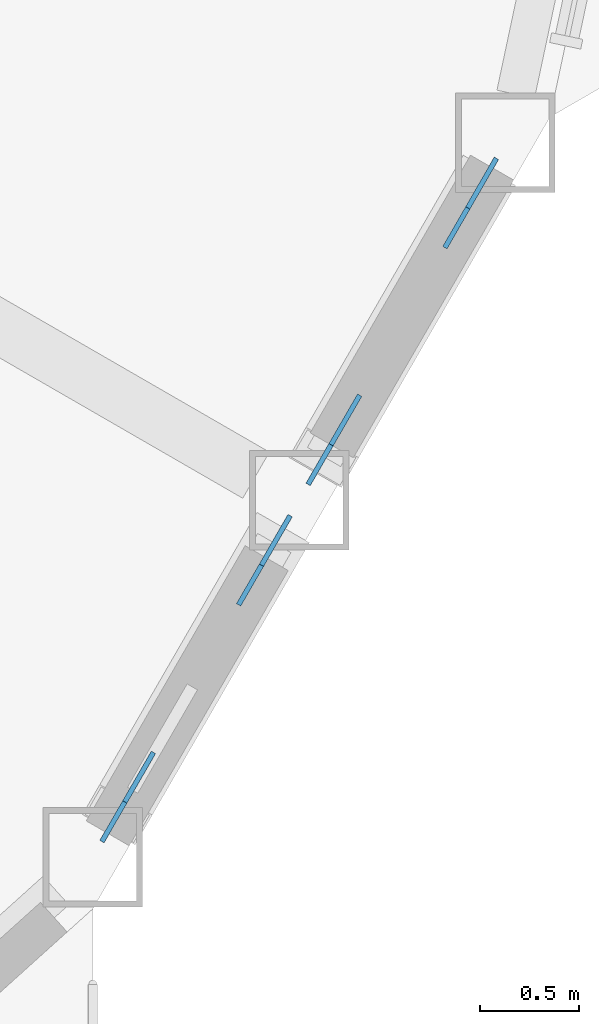
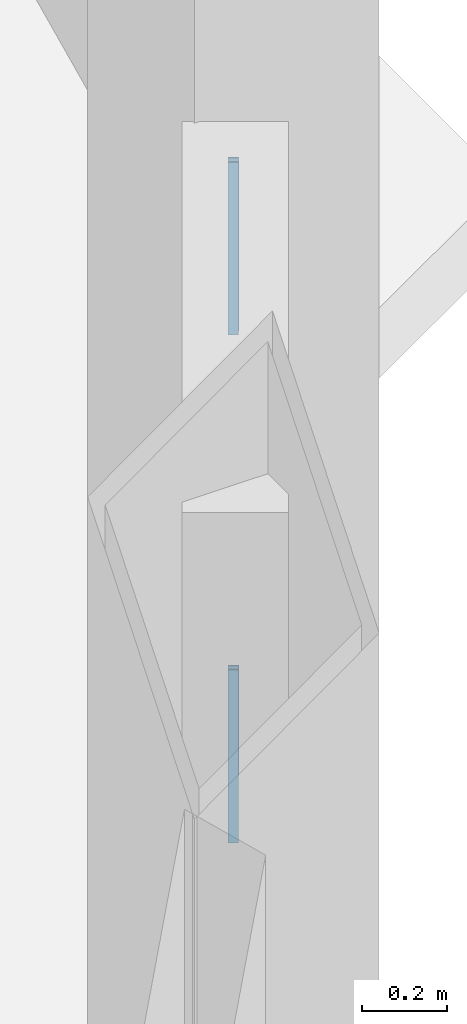
# One storey, part 19 of 25: 4 discrete accessories.
"""IFC4 building model written with IfcOpenShell, lengths in metres."""

from ifc_helpers import new_model, si_unit, direction, frame, origin, origin_2d, place, context, subcontext, project, spatial, rectangle, extrude, material, material_profile, profile_set, type_object, element, save


model = new_model("IFC4")

# Units and contexts
model_context = context("Model", 3, precision=1e-05, world=origin(), true_north=direction((0.0, 1.0)))
body_context = subcontext(model_context, "Body", "Model", "MODEL_VIEW")
ifc_project = project(units=[si_unit("LENGTHUNIT", "METRE"), si_unit("AREAUNIT", "SQUARE_METRE"), si_unit("VOLUMEUNIT", "CUBIC_METRE"), si_unit("PLANEANGLEUNIT", "RADIAN"), si_unit("MASSUNIT", "GRAM", prefix="KILO")], contexts=[model_context])

# Site, building, storey
site_placement = place(None, origin())
site = spatial("IfcSite", under=ifc_project, at=site_placement, CompositionType="ELEMENT")
building_placement = place(site_placement, origin())
building = spatial("IfcBuilding", under=site, at=building_placement, Name="Cormorant Prow Tower", CompositionType="ELEMENT")
storey_placement = place(building_placement, frame((0.0, 0.0, 391.60009765625)))
storey = spatial("IfcBuildingStorey", under=building, at=storey_placement, Name="L89", CompositionType="ELEMENT", Elevation=391.60009765625)

# Discrete accessories
ifc_material = material(Name="Structural steel ASTM A500 Gr C", Category="steel")
ifc_material_profile = material_profile(ifc_material, rectangle(XDim=0.02490234375, YDim=0.405029296875, at=origin_2d()), Name="Gusset plate 25x405")
ifc_profile_set = profile_set([ifc_material_profile], Name="Structural steel ASTM A500 Gr C")
discrete_accessory_type = type_object("IfcDiscreteAccessoryType", Name="Gusset plate 25x405", PredefinedType="BRACKET", material=ifc_profile_set)
for number, where, z_axis, x_axis, name in (
    (1, (26.7900390625, -16.037109375, 0.941162109375), (0.411595697368, 0.712269842394, -0.568560158228), (-0.865832418869, 0.500334110806, 0.0), "Gusset plate GP3 L89.ESE00.g0"),
    (2, (26.246826171875, -16.978271484375, 1.692626953125), (-0.411595697368, -0.712269842394, 0.568560158228), (0.865832418869, -0.500334110806, 0.0), "Gusset plate GP3 L89.ESE00.g1"),
    (3, (27.8271484375, -14.2412109375, 0.941162109375), (0.411016012482, 0.712474276306, -0.568723344945), (-0.866199709737, 0.499697971631, 0.0), "Gusset plate GP3 L89.ESE01.g0"),
    (4, (27.28369140625, -15.182373046875, 1.692626953125), (-0.411595697368, -0.712269842394, 0.568560158228), (0.865832418869, -0.500334110806, 0.0), "Gusset plate GP3 L89.ESE01.g1"),
):
    element("IfcDiscreteAccessory", number, at=place(storey_placement, frame(where, z_axis=z_axis, x_axis=x_axis)), inside=storey, type_object=discrete_accessory_type, Name=name, PredefinedType="BRACKET", context=body_context, shape_type="SweptSolid", body=[
        extrude(rectangle(XDim=0.02490234375, YDim=0.405029296875, at=origin_2d()), origin(), (0.0, 0.0, 1.0), 0.349853515625),
    ])

save(model, "model.ifc")
